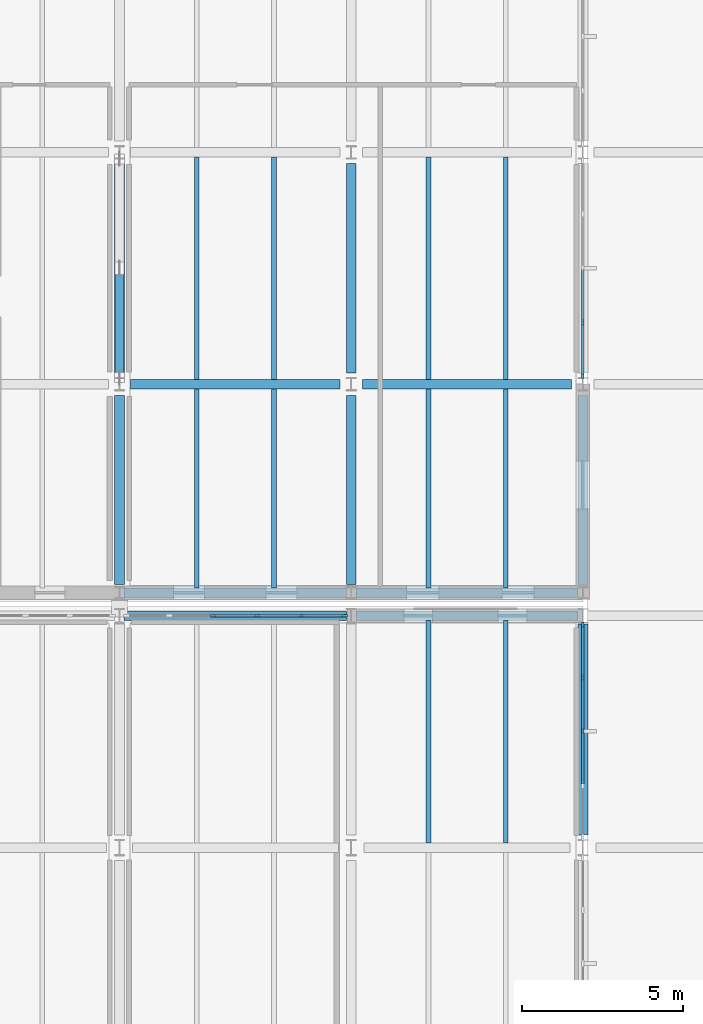
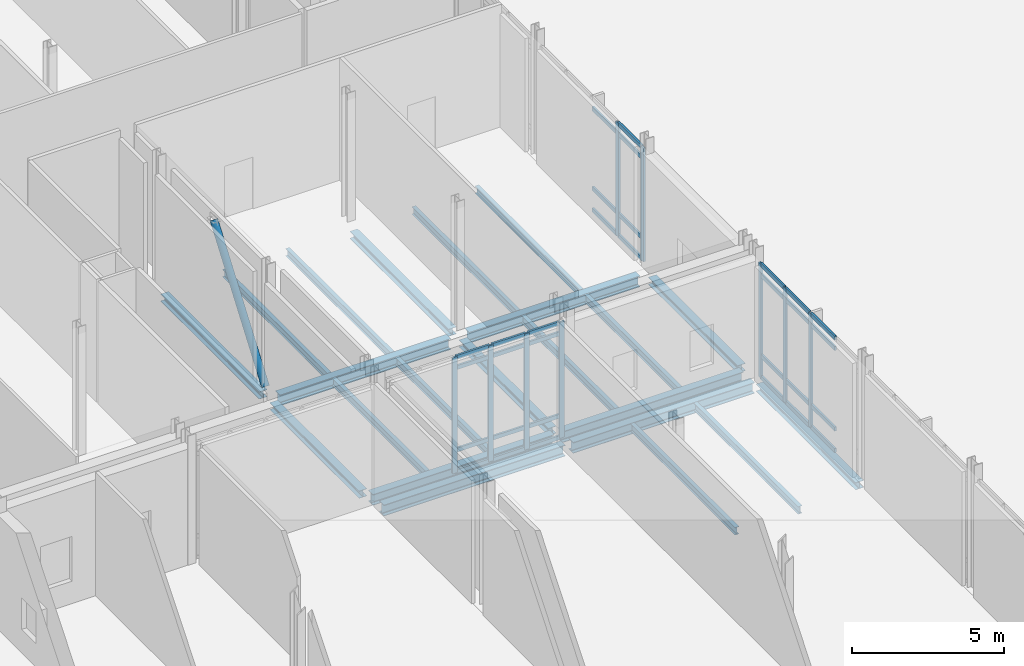
# One storey, part 19 of 89: 41 members, 22 beams, 3 elements without a shape of their own.
"""IFC4 building model written with IfcOpenShell, lengths in metres."""

from ifc_helpers import new_model, si_unit, direction, frame, origin, origin_2d, place, context, subcontext, project, spatial, rectangle, hollow_circle, i_section, extrude, material, layer, layer_set, material_profile, profile_set, type_object, element, aggregate, save


model = new_model("IFC4")

# Units and contexts
model_context = context("Model", 3, precision=1e-05, world=origin(), true_north=direction((0.0, 1.0)))
body_context = subcontext(model_context, "Body", "Model", "MODEL_VIEW")
ifc_project = project(units=[si_unit("LENGTHUNIT", "METRE"), si_unit("AREAUNIT", "SQUARE_METRE"), si_unit("VOLUMEUNIT", "CUBIC_METRE"), si_unit("PLANEANGLEUNIT", "RADIAN"), si_unit("MASSUNIT", "GRAM", prefix="KILO")], contexts=[model_context])

# Site, building, storey
site_placement = place(None, origin())
site = spatial("IfcSite", under=ifc_project, at=site_placement, CompositionType="ELEMENT")
building_placement = place(site_placement, origin())
building = spatial("IfcBuilding", under=site, at=building_placement, Name="Zarrinpeak Specialist Clinic", CompositionType="ELEMENT")
storey_placement = place(building_placement, origin())
storey = spatial("IfcBuildingStorey", under=building, at=storey_placement, Name="L00", CompositionType="ELEMENT", Elevation=0.0)

# Beams
ifc_material_1 = material(Name="Steel S355", Category="steel")
ifc_material_profile_1 = material_profile(ifc_material_1, i_section(OverallWidth=0.300048828125, OverallDepth=0.2900390625, WebThickness=0.008544921875, FlangeThickness=0.013916015625, FilletRadius=0.027099609375, at=origin_2d()), Name="HEA 300")
ifc_profile_set_1 = profile_set([ifc_material_profile_1], Name="Steel S355")
beam_type_1 = type_object("IfcBeamType", Name="BM-HEA300", PredefinedType="BEAM", material=ifc_profile_set_1)
beam_1_placement = place(storey_placement, frame((14.39990234375, 51.367919921875, -0.405029296875), z_axis=(0.0, 1.0, 0.0), x_axis=(-1.0, 0.0, 0.0)))
element("IfcBeam", 1, at=beam_1_placement, inside=storey, type_object=beam_type_1, Name="L00 Primary Beam BM-L00-Y0237", PredefinedType="BEAM", context=body_context, shape_type="SweptSolid", body=[
    extrude(i_section(OverallWidth=0.300048828125, OverallDepth=0.2900390625, WebThickness=0.008544921875, FlangeThickness=0.013916015625, FilletRadius=0.027099609375, at=origin_2d()), origin(), (0.0, 0.0, 1.0), 5.884033203125),
])
beam_2_placement = place(storey_placement, frame((14.39990234375, 57.947998046875, -0.405029296875), z_axis=(0.0, 1.0, 0.0), x_axis=(-1.0, 0.0, 0.0)))
element("IfcBeam", 2, at=beam_2_placement, inside=storey, type_object=beam_type_1, Name="L00 Primary Beam BM-L00-Y0238", PredefinedType="BEAM", context=body_context, shape_type="SweptSolid", body=[
    extrude(i_section(OverallWidth=0.300048828125, OverallDepth=0.2900390625, WebThickness=0.008544921875, FlangeThickness=0.013916015625, FilletRadius=0.027099609375, at=origin_2d()), origin(), (0.0, 0.0, 1.0), 6.50390625),
])
beam_3_placement = place(storey_placement, frame((21.60009765625, 51.367919921875, -0.405029296875), z_axis=(0.0, 1.0, 0.0), x_axis=(-1.0, 0.0, 0.0)))
element("IfcBeam", 3, at=beam_3_placement, inside=storey, type_object=beam_type_1, Name="L00 Primary Beam BM-L00-Y0249", PredefinedType="BEAM", context=body_context, shape_type="SweptSolid", body=[
    extrude(i_section(OverallWidth=0.300048828125, OverallDepth=0.2900390625, WebThickness=0.008544921875, FlangeThickness=0.013916015625, FilletRadius=0.027099609375, at=origin_2d()), origin(), (0.0, 0.0, 1.0), 5.884033203125),
])
beam_4_placement = place(storey_placement, frame((21.60009765625, 57.947998046875, -0.405029296875), z_axis=(0.0, 1.0, 0.0), x_axis=(-1.0, 0.0, 0.0)))
element("IfcBeam", 4, at=beam_4_placement, inside=storey, type_object=beam_type_1, Name="L00 Primary Beam BM-L00-Y0250", PredefinedType="BEAM", context=body_context, shape_type="SweptSolid", body=[
    extrude(i_section(OverallWidth=0.300048828125, OverallDepth=0.2900390625, WebThickness=0.008544921875, FlangeThickness=0.013916015625, FilletRadius=0.027099609375, at=origin_2d()), origin(), (0.0, 0.0, 1.0), 6.50390625),
])
beam_5_placement = place(storey_placement, frame((28.800048828125, 43.597900390625, -0.39501953125), z_axis=(0.0, 1.0, 0.0), x_axis=(-1.0, 0.0, 0.0)))
element("IfcBeam", 5, at=beam_5_placement, inside=storey, type_object=beam_type_1, Name="L00 Primary Beam BM-L00-Y0257", PredefinedType="BEAM", context=body_context, shape_type="SweptSolid", body=[
    extrude(i_section(OverallWidth=0.300048828125, OverallDepth=0.2900390625, WebThickness=0.008544921875, FlangeThickness=0.013916015625, FilletRadius=0.027099609375, at=origin_2d()), origin(), (0.0, 0.0, 1.0), 6.55419921875),
])
beam_6_placement = place(storey_placement, frame((28.800048828125, 51.367919921875, -0.405029296875), z_axis=(0.0, 1.0, 0.0), x_axis=(-1.0, 0.0, 0.0)))
element("IfcBeam", 6, at=beam_6_placement, inside=storey, type_object=beam_type_1, Name="L00 Primary Beam BM-L00-Y0258", PredefinedType="BEAM", context=body_context, shape_type="SweptSolid", body=[
    extrude(i_section(OverallWidth=0.300048828125, OverallDepth=0.2900390625, WebThickness=0.008544921875, FlangeThickness=0.013916015625, FilletRadius=0.027099609375, at=origin_2d()), origin(), (0.0, 0.0, 1.0), 5.884033203125),
])
ifc_material_profile_2 = material_profile(ifc_material_1, i_section(OverallWidth=0.300048828125, OverallDepth=0.43994140625, WebThickness=0.011474609375, FlangeThickness=0.02099609375, FilletRadius=0.027099609375, at=origin_2d()), Name="HEA 450")
ifc_profile_set_2 = profile_set([ifc_material_profile_2], Name="Steel S355")
beam_type_2 = type_object("IfcBeamType", Name="BM-HEA450", PredefinedType="BEAM", material=ifc_profile_set_2)
beam_7_placement = place(storey_placement, frame((14.548095703125, 50.39990234375, -0.469970703125), z_axis=(1.0, 0.0, 0.0), x_axis=(0.0, 1.0, 0.0)))
element("IfcBeam", 7, at=beam_7_placement, inside=storey, type_object=beam_type_2, Name="L00 Primary Floor Girder BM-L00-X0104", PredefinedType="BEAM", context=body_context, shape_type="SweptSolid", body=[
    extrude(i_section(OverallWidth=0.300048828125, OverallDepth=0.43994140625, WebThickness=0.011474609375, FlangeThickness=0.02099609375, FilletRadius=0.027099609375, at=origin_2d()), origin(), (0.0, 0.0, 1.0), 6.90380859375),
])
beam_8_placement = place(storey_placement, frame((21.748046875, 50.39990234375, -0.469970703125), z_axis=(1.0, 0.0, 0.0), x_axis=(0.0, 1.0, 0.0)))
element("IfcBeam", 8, at=beam_8_placement, inside=storey, type_object=beam_type_2, Name="L00 Primary Floor Girder BM-L00-X0105", PredefinedType="BEAM", context=body_context, shape_type="SweptSolid", body=[
    extrude(i_section(OverallWidth=0.300048828125, OverallDepth=0.43994140625, WebThickness=0.011474609375, FlangeThickness=0.02099609375, FilletRadius=0.027099609375, at=origin_2d()), origin(), (0.0, 0.0, 1.0), 6.904052734375),
])
beam_9_placement = place(storey_placement, frame((14.548095703125, 51.1201171875, -0.47998046875), z_axis=(1.0, 0.0, 0.0), x_axis=(0.0, 1.0, 0.0)))
element("IfcBeam", 9, at=beam_9_placement, inside=storey, type_object=beam_type_2, Name="L00 Primary Floor Girder BM-L00-X0126", PredefinedType="BEAM", context=body_context, shape_type="SweptSolid", body=[
    extrude(i_section(OverallWidth=0.300048828125, OverallDepth=0.43994140625, WebThickness=0.011474609375, FlangeThickness=0.02099609375, FilletRadius=0.027099609375, at=origin_2d()), origin(), (0.0, 0.0, 1.0), 6.90380859375),
])
beam_10_placement = place(storey_placement, frame((21.748046875, 51.1201171875, -0.47998046875), z_axis=(1.0, 0.0, 0.0), x_axis=(0.0, 1.0, 0.0)))
element("IfcBeam", 10, at=beam_10_placement, inside=storey, type_object=beam_type_2, Name="L00 Primary Floor Girder BM-L00-X0127", PredefinedType="BEAM", context=body_context, shape_type="SweptSolid", body=[
    extrude(i_section(OverallWidth=0.300048828125, OverallDepth=0.43994140625, WebThickness=0.011474609375, FlangeThickness=0.02099609375, FilletRadius=0.027099609375, at=origin_2d()), origin(), (0.0, 0.0, 1.0), 6.904052734375),
])
for number, where, z_axis, x_axis, name in (
    (11, (14.748046875, 57.60009765625, -0.47998046875), (1.0, 0.0, 0.0), (0.0, 1.0, 0.0), "L00 Primary Floor Girder BM-L00-X0130"),
    (12, (21.947998046875, 57.60009765625, -0.47998046875), (1.0, 0.0, 0.0), (0.0, 1.0, 0.0), "L00 Primary Floor Girder BM-L00-X0131"),
):
    element("IfcBeam", number, at=place(storey_placement, frame(where, z_axis=z_axis, x_axis=x_axis)), inside=storey, type_object=beam_type_2, Name=name, PredefinedType="BEAM", context=body_context, shape_type="SweptSolid", body=[
        extrude(i_section(OverallWidth=0.300048828125, OverallDepth=0.43994140625, WebThickness=0.011474609375, FlangeThickness=0.02099609375, FilletRadius=0.027099609375, at=origin_2d()), origin(), (0.0, 0.0, 1.0), 6.50390625),
    ])
ifc_material_profile_3 = material_profile(ifc_material_1, i_section(OverallWidth=0.14990234375, OverallDepth=0.300048828125, WebThickness=0.007080078125, FlangeThickness=0.0107421875, FilletRadius=0.014892578125, at=origin_2d()), Name="IPE 300")
ifc_profile_set_3 = profile_set([ifc_material_profile_3], Name="Steel S355")
beam_type_3 = type_object("IfcBeamType", Name="BM-JST300", PredefinedType="JOIST", material=ifc_profile_set_3)
for number, where, z_axis, x_axis, name in (
    (13, (24.0, 43.347900390625, -0.39990234375), (0.0, 1.0, 0.0), (-1.0, 0.0, 0.0), "L00 Composite Floor Joist JST-L00-0455"),
    (14, (26.39990234375, 43.347900390625, -0.39990234375), (0.0, 1.0, 0.0), (-1.0, 0.0, 0.0), "L00 Composite Floor Joist JST-L00-0456"),
):
    element("IfcBeam", number, at=place(storey_placement, frame(where, z_axis=z_axis, x_axis=x_axis)), inside=storey, type_object=beam_type_3, Name=name, PredefinedType="JOIST", context=body_context, shape_type="SweptSolid", body=[
        extrude(i_section(OverallWidth=0.14990234375, OverallDepth=0.300048828125, WebThickness=0.007080078125, FlangeThickness=0.0107421875, FilletRadius=0.014892578125, at=origin_2d()), origin(), (0.0, 0.0, 1.0), 6.904052734375),
    ])
for number, where, z_axis, x_axis, name in (
    (15, (16.800048828125, 51.26806640625, -0.409912109375), (0.0, 1.0, 0.0), (-1.0, 0.0, 0.0), "L00 Composite Floor Joist JST-L00-0556"),
    (16, (19.199951171875, 51.26806640625, -0.409912109375), (0.0, 1.0, 0.0), (-1.0, 0.0, 0.0), "L00 Composite Floor Joist JST-L00-0557"),
):
    element("IfcBeam", number, at=place(storey_placement, frame(where, z_axis=z_axis, x_axis=x_axis)), inside=storey, type_object=beam_type_3, Name=name, PredefinedType="JOIST", context=body_context, shape_type="SweptSolid", body=[
        extrude(i_section(OverallWidth=0.14990234375, OverallDepth=0.300048828125, WebThickness=0.007080078125, FlangeThickness=0.0107421875, FilletRadius=0.014892578125, at=origin_2d()), origin(), (0.0, 0.0, 1.0), 6.183837890625),
    ])
for number, where, z_axis, x_axis, name in (
    (17, (16.800048828125, 57.748046875, -0.409912109375), (0.0, 1.0, 0.0), (-1.0, 0.0, 0.0), "L00 Composite Floor Joist JST-L00-0558"),
    (18, (19.199951171875, 57.748046875, -0.409912109375), (0.0, 1.0, 0.0), (-1.0, 0.0, 0.0), "L00 Composite Floor Joist JST-L00-0559"),
):
    element("IfcBeam", number, at=place(storey_placement, frame(where, z_axis=z_axis, x_axis=x_axis)), inside=storey, type_object=beam_type_3, Name=name, PredefinedType="JOIST", context=body_context, shape_type="SweptSolid", body=[
        extrude(i_section(OverallWidth=0.14990234375, OverallDepth=0.300048828125, WebThickness=0.007080078125, FlangeThickness=0.0107421875, FilletRadius=0.014892578125, at=origin_2d()), origin(), (0.0, 0.0, 1.0), 6.904052734375),
    ])
for number, where, z_axis, x_axis, name in (
    (19, (24.0, 51.26806640625, -0.409912109375), (0.0, 1.0, 0.0), (-1.0, 0.0, 0.0), "L00 Composite Floor Joist JST-L00-0566"),
    (20, (26.39990234375, 51.26806640625, -0.409912109375), (0.0, 1.0, 0.0), (-1.0, 0.0, 0.0), "L00 Composite Floor Joist JST-L00-0567"),
):
    element("IfcBeam", number, at=place(storey_placement, frame(where, z_axis=z_axis, x_axis=x_axis)), inside=storey, type_object=beam_type_3, Name=name, PredefinedType="JOIST", context=body_context, shape_type="SweptSolid", body=[
        extrude(i_section(OverallWidth=0.14990234375, OverallDepth=0.300048828125, WebThickness=0.007080078125, FlangeThickness=0.0107421875, FilletRadius=0.014892578125, at=origin_2d()), origin(), (0.0, 0.0, 1.0), 6.183837890625),
    ])
for number, where, z_axis, x_axis, name in (
    (21, (24.0, 57.748046875, -0.409912109375), (0.0, 1.0, 0.0), (-1.0, 0.0, 0.0), "L00 Composite Floor Joist JST-L00-0568"),
    (22, (26.39990234375, 57.748046875, -0.409912109375), (0.0, 1.0, 0.0), (-1.0, 0.0, 0.0), "L00 Composite Floor Joist JST-L00-0569"),
):
    element("IfcBeam", number, at=place(storey_placement, frame(where, z_axis=z_axis, x_axis=x_axis)), inside=storey, type_object=beam_type_3, Name=name, PredefinedType="JOIST", context=body_context, shape_type="SweptSolid", body=[
        extrude(i_section(OverallWidth=0.14990234375, OverallDepth=0.300048828125, WebThickness=0.007080078125, FlangeThickness=0.0107421875, FilletRadius=0.014892578125, at=origin_2d()), origin(), (0.0, 0.0, 1.0), 6.904052734375),
    ])

# Curtain wall, members
ifc_material_2 = material(Name="Anodised Aluminium Alloy 6063-T6", Category="aluminium")
ifc_layer_1 = layer(ifc_material_2, 0.1650390625)
ifc_layer_set_1 = layer_set([ifc_layer_1], Name="Anodised Aluminium Alloy 6063-T6")
curtain_wall_type_1 = type_object("IfcCurtainWallType", Name="CW-CLINIC", PredefinedType="NOTDEFINED", material=ifc_layer_set_1)
curtain_wall_1_placement = place(storey_placement, origin())
curtain_wall_1 = element("IfcCurtainWall", 23, at=curtain_wall_1_placement, inside=storey, type_object=curtain_wall_type_1, Name="L00 V1 Unitised Curtain Wall CW-L00-V1-002", PredefinedType="NOTDEFINED")
ifc_material_profile_4 = material_profile(ifc_material_2, rectangle(XDim=0.074951171875, YDim=0.179931640625, at=origin_2d()), Name="ALU 75x180")
ifc_profile_set_4 = profile_set([ifc_material_profile_4], Name="Anodised Aluminium Alloy 6063-T6")
member_type_1 = type_object("IfcMemberType", Name="CWM-75", PredefinedType="MULLION", material=ifc_profile_set_4)
member_1_placement = place(storey_placement, frame((21.387451171875, 50.39990234375, 0.0), z_axis=(0.0, 0.0, 1.0), x_axis=(0.0, -1.0, 0.0)))
member_1 = element("IfcMember", 24, at=member_1_placement, type_object=member_type_1, Name="CW-03 mullion 1", PredefinedType="MULLION", context=body_context, shape_type="SweptSolid", body=[
    extrude(rectangle(XDim=0.074951171875, YDim=0.179931640625, at=origin_2d()), origin(), (0.0, 0.0, 1.0), 4.6650390625),
])
member_2_placement = place(storey_placement, frame((20.054931640625, 50.39990234375, 0.0), z_axis=(0.0, 0.0, 1.0), x_axis=(0.0, -1.0, 0.0)))
member_2 = element("IfcMember", 25, at=member_2_placement, type_object=member_type_1, Name="CW-03 mullion 2", PredefinedType="MULLION", context=body_context, shape_type="SweptSolid", body=[
    extrude(rectangle(XDim=0.074951171875, YDim=0.179931640625, at=origin_2d()), origin(), (0.0, 0.0, 1.0), 4.6650390625),
])
member_3_placement = place(storey_placement, frame((18.68505859375, 50.39990234375, 0.0), z_axis=(0.0, 0.0, 1.0), x_axis=(0.0, -1.0, 0.0)))
member_3 = element("IfcMember", 26, at=member_3_placement, type_object=member_type_1, Name="CW-03 mullion 3", PredefinedType="MULLION", context=body_context, shape_type="SweptSolid", body=[
    extrude(rectangle(XDim=0.074951171875, YDim=0.179931640625, at=origin_2d()), origin(), (0.0, 0.0, 1.0), 4.6650390625),
])
member_4_placement = place(storey_placement, frame((17.31494140625, 50.39990234375, 0.0), z_axis=(0.0, 0.0, 1.0), x_axis=(0.0, -1.0, 0.0)))
member_4 = element("IfcMember", 27, at=member_4_placement, type_object=member_type_1, Name="CW-03 mullion 4", PredefinedType="MULLION", context=body_context, shape_type="SweptSolid", body=[
    extrude(rectangle(XDim=0.074951171875, YDim=0.179931640625, at=origin_2d()), origin(), (0.0, 0.0, 1.0), 4.6650390625),
])

ifc_layer_2 = layer(ifc_material_2, 0.179931640625)
ifc_layer_set_2 = layer_set([ifc_layer_2], Name="Anodised Aluminium Alloy 6063-T6")
curtain_wall_type_2 = type_object("IfcCurtainWallType", Name="CW-COURT", PredefinedType="NOTDEFINED", material=ifc_layer_set_2)
curtain_wall_2_placement = place(storey_placement, origin())
curtain_wall_2 = element("IfcCurtainWall", 28, at=curtain_wall_2_placement, inside=storey, type_object=curtain_wall_type_2, Name="L00 V1 Unitised Curtain Wall CW-L00-V1-006", PredefinedType="NOTDEFINED")
member_5_placement = place(storey_placement, frame((28.800048828125, 46.8125, 0.0), z_axis=(0.0, 0.0, 1.0), x_axis=(-1.0, 0.0, 0.0)))
member_5 = element("IfcMember", 29, at=member_5_placement, type_object=member_type_1, Name="CW-01 mullion 3", PredefinedType="MULLION", context=body_context, shape_type="SweptSolid", body=[
    extrude(rectangle(XDim=0.074951171875, YDim=0.179931640625, at=origin_2d()), origin(), (0.0, 0.0, 1.0), 4.594970703125),
])
member_6_placement = place(storey_placement, frame((28.800048828125, 48.481201171875, 0.0), z_axis=(0.0, 0.0, 1.0), x_axis=(-1.0, 0.0, 0.0)))
member_6 = element("IfcMember", 30, at=member_6_placement, type_object=member_type_1, Name="CW-01 mullion 4", PredefinedType="MULLION", context=body_context, shape_type="SweptSolid", body=[
    extrude(rectangle(XDim=0.074951171875, YDim=0.179931640625, at=origin_2d()), origin(), (0.0, 0.0, 1.0), 4.594970703125),
])
member_7_placement = place(storey_placement, frame((28.800048828125, 50.112548828125, 0.0), z_axis=(0.0, 0.0, 1.0), x_axis=(-1.0, 0.0, 0.0)))
member_7 = element("IfcMember", 31, at=member_7_placement, type_object=member_type_1, Name="CW-01 mullion 5", PredefinedType="MULLION", context=body_context, shape_type="SweptSolid", body=[
    extrude(rectangle(XDim=0.074951171875, YDim=0.179931640625, at=origin_2d()), origin(), (0.0, 0.0, 1.0), 4.594970703125),
])

curtain_wall_3_placement = place(storey_placement, origin())
curtain_wall_3 = element("IfcCurtainWall", 32, at=curtain_wall_3_placement, inside=storey, type_object=curtain_wall_type_2, Name="L00 V5 Unitised Curtain Wall CW-L00-V5-121", PredefinedType="NOTDEFINED")
member_8_placement = place(storey_placement, frame((28.800048828125, 57.862548828125, 0.0), z_axis=(0.0, 0.0, 1.0), x_axis=(-1.0, 0.0, 0.0)))
member_8 = element("IfcMember", 33, at=member_8_placement, type_object=member_type_1, Name="CW-01 mullion 1", PredefinedType="MULLION", context=body_context, shape_type="SweptSolid", body=[
    extrude(rectangle(XDim=0.074951171875, YDim=0.179931640625, at=origin_2d()), origin(), (0.0, 0.0, 1.0), 4.56494140625),
])
member_9_placement = place(storey_placement, frame((28.800048828125, 59.512451171875, 0.0), z_axis=(0.0, 0.0, 1.0), x_axis=(-1.0, 0.0, 0.0)))
member_9 = element("IfcMember", 34, at=member_9_placement, type_object=member_type_1, Name="CW-01 mullion 2", PredefinedType="MULLION", context=body_context, shape_type="SweptSolid", body=[
    extrude(rectangle(XDim=0.074951171875, YDim=0.179931640625, at=origin_2d()), origin(), (0.0, 0.0, 1.0), 4.56494140625),
])

# Member
ifc_material_profile_5 = material_profile(ifc_material_2, rectangle(XDim=0.074951171875, YDim=0.159912109375, at=origin_2d()), Name="ALU 75x160")
ifc_profile_set_5 = profile_set([ifc_material_profile_5], Name="Anodised Aluminium Alloy 6063-T6")
member_type_2 = type_object("IfcMemberType", Name="CWT-75", PredefinedType="USERDEFINED", material=ifc_profile_set_5)
member_10_placement = place(storey_placement, frame((21.35009765625, 50.39990234375, 0.03759765625), z_axis=(-1.0, 0.0, 0.0), x_axis=(0.0, -1.0, 0.0)))
member_10 = element("IfcMember", 35, at=member_10_placement, type_object=member_type_2, Name="CW-03 transom 1.1", ObjectType="TRANSOM", PredefinedType="USERDEFINED", context=body_context, shape_type="SweptSolid", body=[
    extrude(rectangle(XDim=0.074951171875, YDim=0.159912109375, at=origin_2d()), origin(), (0.0, 0.0, 1.0), 1.257568359375),
])

member_11_placement = place(storey_placement, frame((21.35009765625, 50.39990234375, 0.89990234375), z_axis=(-1.0, 0.0, 0.0), x_axis=(0.0, -1.0, 0.0)))
member_11 = element("IfcMember", 36, at=member_11_placement, type_object=member_type_2, Name="CW-03 transom 1.2", ObjectType="TRANSOM", PredefinedType="USERDEFINED", context=body_context, shape_type="SweptSolid", body=[
    extrude(rectangle(XDim=0.074951171875, YDim=0.159912109375, at=origin_2d()), origin(), (0.0, 0.0, 1.0), 1.257568359375),
])

member_12_placement = place(storey_placement, frame((21.35009765625, 50.39990234375, 4.215087890625), z_axis=(-1.0, 0.0, 0.0), x_axis=(0.0, -1.0, 0.0)))
member_12 = element("IfcMember", 37, at=member_12_placement, type_object=member_type_2, Name="CW-03 transom 1.3", ObjectType="TRANSOM", PredefinedType="USERDEFINED", context=body_context, shape_type="SweptSolid", body=[
    extrude(rectangle(XDim=0.074951171875, YDim=0.159912109375, at=origin_2d()), origin(), (0.0, 0.0, 1.0), 1.257568359375),
])

member_13_placement = place(storey_placement, frame((21.35009765625, 50.39990234375, 4.62744140625), z_axis=(-1.0, 0.0, 0.0), x_axis=(0.0, -1.0, 0.0)))
member_13 = element("IfcMember", 38, at=member_13_placement, type_object=member_type_2, Name="CW-03 transom 1.4", ObjectType="TRANSOM", PredefinedType="USERDEFINED", context=body_context, shape_type="SweptSolid", body=[
    extrude(rectangle(XDim=0.074951171875, YDim=0.159912109375, at=origin_2d()), origin(), (0.0, 0.0, 1.0), 1.257568359375),
])

member_14_placement = place(storey_placement, frame((20.017578125, 50.39990234375, 0.03759765625), z_axis=(-1.0, 0.0, 0.0), x_axis=(0.0, -1.0, 0.0)))
member_14 = element("IfcMember", 39, at=member_14_placement, type_object=member_type_2, Name="CW-03 transom 2.1", ObjectType="TRANSOM", PredefinedType="USERDEFINED", context=body_context, shape_type="SweptSolid", body=[
    extrude(rectangle(XDim=0.074951171875, YDim=0.159912109375, at=origin_2d()), origin(), (0.0, 0.0, 1.0), 1.295166015625),
])

member_15_placement = place(storey_placement, frame((20.017578125, 50.39990234375, 0.89990234375), z_axis=(-1.0, 0.0, 0.0), x_axis=(0.0, -1.0, 0.0)))
member_15 = element("IfcMember", 40, at=member_15_placement, type_object=member_type_2, Name="CW-03 transom 2.2", ObjectType="TRANSOM", PredefinedType="USERDEFINED", context=body_context, shape_type="SweptSolid", body=[
    extrude(rectangle(XDim=0.074951171875, YDim=0.159912109375, at=origin_2d()), origin(), (0.0, 0.0, 1.0), 1.295166015625),
])

member_16_placement = place(storey_placement, frame((20.017578125, 50.39990234375, 4.215087890625), z_axis=(-1.0, 0.0, 0.0), x_axis=(0.0, -1.0, 0.0)))
member_16 = element("IfcMember", 41, at=member_16_placement, type_object=member_type_2, Name="CW-03 transom 2.3", ObjectType="TRANSOM", PredefinedType="USERDEFINED", context=body_context, shape_type="SweptSolid", body=[
    extrude(rectangle(XDim=0.074951171875, YDim=0.159912109375, at=origin_2d()), origin(), (0.0, 0.0, 1.0), 1.295166015625),
])

member_17_placement = place(storey_placement, frame((20.017578125, 50.39990234375, 4.62744140625), z_axis=(-1.0, 0.0, 0.0), x_axis=(0.0, -1.0, 0.0)))
member_17 = element("IfcMember", 42, at=member_17_placement, type_object=member_type_2, Name="CW-03 transom 2.4", ObjectType="TRANSOM", PredefinedType="USERDEFINED", context=body_context, shape_type="SweptSolid", body=[
    extrude(rectangle(XDim=0.074951171875, YDim=0.159912109375, at=origin_2d()), origin(), (0.0, 0.0, 1.0), 1.295166015625),
])

member_18_placement = place(storey_placement, frame((18.6474609375, 50.39990234375, 0.03759765625), z_axis=(-1.0, 0.0, 0.0), x_axis=(0.0, -1.0, 0.0)))
member_18 = element("IfcMember", 43, at=member_18_placement, type_object=member_type_2, Name="CW-03 transom 3.1", ObjectType="TRANSOM", PredefinedType="USERDEFINED", context=body_context, shape_type="SweptSolid", body=[
    extrude(rectangle(XDim=0.074951171875, YDim=0.159912109375, at=origin_2d()), origin(), (0.0, 0.0, 1.0), 1.294921875),
])

member_19_placement = place(storey_placement, frame((18.6474609375, 50.39990234375, 0.89990234375), z_axis=(-1.0, 0.0, 0.0), x_axis=(0.0, -1.0, 0.0)))
member_19 = element("IfcMember", 44, at=member_19_placement, type_object=member_type_2, Name="CW-03 transom 3.2", ObjectType="TRANSOM", PredefinedType="USERDEFINED", context=body_context, shape_type="SweptSolid", body=[
    extrude(rectangle(XDim=0.074951171875, YDim=0.159912109375, at=origin_2d()), origin(), (0.0, 0.0, 1.0), 1.294921875),
])

member_20_placement = place(storey_placement, frame((18.6474609375, 50.39990234375, 4.215087890625), z_axis=(-1.0, 0.0, 0.0), x_axis=(0.0, -1.0, 0.0)))
member_20 = element("IfcMember", 45, at=member_20_placement, type_object=member_type_2, Name="CW-03 transom 3.3", ObjectType="TRANSOM", PredefinedType="USERDEFINED", context=body_context, shape_type="SweptSolid", body=[
    extrude(rectangle(XDim=0.074951171875, YDim=0.159912109375, at=origin_2d()), origin(), (0.0, 0.0, 1.0), 1.294921875),
])

member_21_placement = place(storey_placement, frame((18.6474609375, 50.39990234375, 4.62744140625), z_axis=(-1.0, 0.0, 0.0), x_axis=(0.0, -1.0, 0.0)))
member_21 = element("IfcMember", 46, at=member_21_placement, type_object=member_type_2, Name="CW-03 transom 3.4", ObjectType="TRANSOM", PredefinedType="USERDEFINED", context=body_context, shape_type="SweptSolid", body=[
    extrude(rectangle(XDim=0.074951171875, YDim=0.159912109375, at=origin_2d()), origin(), (0.0, 0.0, 1.0), 1.294921875),
])

aggregate(curtain_wall_1, [member_1, member_2, member_3, member_4, member_10, member_11, member_12, member_13, member_14, member_15, member_16, member_17, member_18, member_19, member_20, member_21])

member_22_placement = place(storey_placement, frame((28.800048828125, 45.18115234375, 0.03759765625), z_axis=(0.0, 1.0, 0.0), x_axis=(-1.0, 0.0, 0.0)))
member_22 = element("IfcMember", 47, at=member_22_placement, type_object=member_type_2, Name="CW-01 transom 2.1", ObjectType="TRANSOM", PredefinedType="USERDEFINED", context=body_context, shape_type="SweptSolid", body=[
    extrude(rectangle(XDim=0.074951171875, YDim=0.159912109375, at=origin_2d()), origin(), (0.0, 0.0, 1.0), 1.59375),
])

member_23_placement = place(storey_placement, frame((28.800048828125, 45.18115234375, 0.89990234375), z_axis=(0.0, 1.0, 0.0), x_axis=(-1.0, 0.0, 0.0)))
member_23 = element("IfcMember", 48, at=member_23_placement, type_object=member_type_2, Name="CW-01 transom 2.2", ObjectType="TRANSOM", PredefinedType="USERDEFINED", context=body_context, shape_type="SweptSolid", body=[
    extrude(rectangle(XDim=0.074951171875, YDim=0.159912109375, at=origin_2d()), origin(), (0.0, 0.0, 1.0), 1.59375),
])

member_24_placement = place(storey_placement, frame((28.800048828125, 45.18115234375, 4.14501953125), z_axis=(0.0, 1.0, 0.0), x_axis=(-1.0, 0.0, 0.0)))
member_24 = element("IfcMember", 49, at=member_24_placement, type_object=member_type_2, Name="CW-01 transom 2.3", ObjectType="TRANSOM", PredefinedType="USERDEFINED", context=body_context, shape_type="SweptSolid", body=[
    extrude(rectangle(XDim=0.074951171875, YDim=0.159912109375, at=origin_2d()), origin(), (0.0, 0.0, 1.0), 1.59375),
])

member_25_placement = place(storey_placement, frame((28.800048828125, 45.18115234375, 4.5576171875), z_axis=(0.0, 1.0, 0.0), x_axis=(-1.0, 0.0, 0.0)))
member_25 = element("IfcMember", 50, at=member_25_placement, type_object=member_type_2, Name="CW-01 transom 2.4", ObjectType="TRANSOM", PredefinedType="USERDEFINED", context=body_context, shape_type="SweptSolid", body=[
    extrude(rectangle(XDim=0.074951171875, YDim=0.159912109375, at=origin_2d()), origin(), (0.0, 0.0, 1.0), 1.59375),
])

member_26_placement = place(storey_placement, frame((28.800048828125, 46.85009765625, 0.03759765625), z_axis=(0.0, 1.0, 0.0), x_axis=(-1.0, 0.0, 0.0)))
member_26 = element("IfcMember", 51, at=member_26_placement, type_object=member_type_2, Name="CW-01 transom 3.1", ObjectType="TRANSOM", PredefinedType="USERDEFINED", context=body_context, shape_type="SweptSolid", body=[
    extrude(rectangle(XDim=0.074951171875, YDim=0.159912109375, at=origin_2d()), origin(), (0.0, 0.0, 1.0), 1.59375),
])

member_27_placement = place(storey_placement, frame((28.800048828125, 46.85009765625, 0.89990234375), z_axis=(0.0, 1.0, 0.0), x_axis=(-1.0, 0.0, 0.0)))
member_27 = element("IfcMember", 52, at=member_27_placement, type_object=member_type_2, Name="CW-01 transom 3.2", ObjectType="TRANSOM", PredefinedType="USERDEFINED", context=body_context, shape_type="SweptSolid", body=[
    extrude(rectangle(XDim=0.074951171875, YDim=0.159912109375, at=origin_2d()), origin(), (0.0, 0.0, 1.0), 1.59375),
])

member_28_placement = place(storey_placement, frame((28.800048828125, 46.85009765625, 4.14501953125), z_axis=(0.0, 1.0, 0.0), x_axis=(-1.0, 0.0, 0.0)))
member_28 = element("IfcMember", 53, at=member_28_placement, type_object=member_type_2, Name="CW-01 transom 3.3", ObjectType="TRANSOM", PredefinedType="USERDEFINED", context=body_context, shape_type="SweptSolid", body=[
    extrude(rectangle(XDim=0.074951171875, YDim=0.159912109375, at=origin_2d()), origin(), (0.0, 0.0, 1.0), 1.59375),
])

member_29_placement = place(storey_placement, frame((28.800048828125, 46.85009765625, 4.5576171875), z_axis=(0.0, 1.0, 0.0), x_axis=(-1.0, 0.0, 0.0)))
member_29 = element("IfcMember", 54, at=member_29_placement, type_object=member_type_2, Name="CW-01 transom 3.4", ObjectType="TRANSOM", PredefinedType="USERDEFINED", context=body_context, shape_type="SweptSolid", body=[
    extrude(rectangle(XDim=0.074951171875, YDim=0.159912109375, at=origin_2d()), origin(), (0.0, 0.0, 1.0), 1.59375),
])

member_30_placement = place(storey_placement, frame((28.800048828125, 48.518798828125, 0.03759765625), z_axis=(0.0, 1.0, 0.0), x_axis=(-1.0, 0.0, 0.0)))
member_30 = element("IfcMember", 55, at=member_30_placement, type_object=member_type_2, Name="CW-01 transom 4.1", ObjectType="TRANSOM", PredefinedType="USERDEFINED", context=body_context, shape_type="SweptSolid", body=[
    extrude(rectangle(XDim=0.074951171875, YDim=0.159912109375, at=origin_2d()), origin(), (0.0, 0.0, 1.0), 1.55615234375),
])

member_31_placement = place(storey_placement, frame((28.800048828125, 48.518798828125, 0.89990234375), z_axis=(0.0, 1.0, 0.0), x_axis=(-1.0, 0.0, 0.0)))
member_31 = element("IfcMember", 56, at=member_31_placement, type_object=member_type_2, Name="CW-01 transom 4.2", ObjectType="TRANSOM", PredefinedType="USERDEFINED", context=body_context, shape_type="SweptSolid", body=[
    extrude(rectangle(XDim=0.074951171875, YDim=0.159912109375, at=origin_2d()), origin(), (0.0, 0.0, 1.0), 1.55615234375),
])

member_32_placement = place(storey_placement, frame((28.800048828125, 48.518798828125, 4.14501953125), z_axis=(0.0, 1.0, 0.0), x_axis=(-1.0, 0.0, 0.0)))
member_32 = element("IfcMember", 57, at=member_32_placement, type_object=member_type_2, Name="CW-01 transom 4.3", ObjectType="TRANSOM", PredefinedType="USERDEFINED", context=body_context, shape_type="SweptSolid", body=[
    extrude(rectangle(XDim=0.074951171875, YDim=0.159912109375, at=origin_2d()), origin(), (0.0, 0.0, 1.0), 1.55615234375),
])

member_33_placement = place(storey_placement, frame((28.800048828125, 48.518798828125, 4.5576171875), z_axis=(0.0, 1.0, 0.0), x_axis=(-1.0, 0.0, 0.0)))
member_33 = element("IfcMember", 58, at=member_33_placement, type_object=member_type_2, Name="CW-01 transom 4.4", ObjectType="TRANSOM", PredefinedType="USERDEFINED", context=body_context, shape_type="SweptSolid", body=[
    extrude(rectangle(XDim=0.074951171875, YDim=0.159912109375, at=origin_2d()), origin(), (0.0, 0.0, 1.0), 1.55615234375),
])

aggregate(curtain_wall_2, [member_5, member_6, member_7, member_22, member_23, member_24, member_25, member_26, member_27, member_28, member_29, member_30, member_31, member_32, member_33])

member_34_placement = place(storey_placement, frame((28.800048828125, 57.89990234375, 0.03759765625), z_axis=(0.0, 1.0, 0.0), x_axis=(-1.0, 0.0, 0.0)))
member_34 = element("IfcMember", 59, at=member_34_placement, type_object=member_type_2, Name="CW-01 transom 1.1", ObjectType="TRANSOM", PredefinedType="USERDEFINED", context=body_context, shape_type="SweptSolid", body=[
    extrude(rectangle(XDim=0.074951171875, YDim=0.159912109375, at=origin_2d()), origin(), (0.0, 0.0, 1.0), 1.5751953125),
])

member_35_placement = place(storey_placement, frame((28.800048828125, 57.89990234375, 0.89990234375), z_axis=(0.0, 1.0, 0.0), x_axis=(-1.0, 0.0, 0.0)))
member_35 = element("IfcMember", 60, at=member_35_placement, type_object=member_type_2, Name="CW-01 transom 1.2", ObjectType="TRANSOM", PredefinedType="USERDEFINED", context=body_context, shape_type="SweptSolid", body=[
    extrude(rectangle(XDim=0.074951171875, YDim=0.159912109375, at=origin_2d()), origin(), (0.0, 0.0, 1.0), 1.5751953125),
])

member_36_placement = place(storey_placement, frame((28.800048828125, 57.89990234375, 4.114990234375), z_axis=(0.0, 1.0, 0.0), x_axis=(-1.0, 0.0, 0.0)))
member_36 = element("IfcMember", 61, at=member_36_placement, type_object=member_type_2, Name="CW-01 transom 1.3", ObjectType="TRANSOM", PredefinedType="USERDEFINED", context=body_context, shape_type="SweptSolid", body=[
    extrude(rectangle(XDim=0.074951171875, YDim=0.159912109375, at=origin_2d()), origin(), (0.0, 0.0, 1.0), 1.5751953125),
])

member_37_placement = place(storey_placement, frame((28.800048828125, 57.89990234375, 4.527587890625), z_axis=(0.0, 1.0, 0.0), x_axis=(-1.0, 0.0, 0.0)))
member_37 = element("IfcMember", 62, at=member_37_placement, type_object=member_type_2, Name="CW-01 transom 1.4", ObjectType="TRANSOM", PredefinedType="USERDEFINED", context=body_context, shape_type="SweptSolid", body=[
    extrude(rectangle(XDim=0.074951171875, YDim=0.159912109375, at=origin_2d()), origin(), (0.0, 0.0, 1.0), 1.5751953125),
])

member_38_placement = place(storey_placement, frame((28.800048828125, 59.550048828125, 0.03759765625), z_axis=(0.0, 1.0, 0.0), x_axis=(-1.0, 0.0, 0.0)))
member_38 = element("IfcMember", 63, at=member_38_placement, type_object=member_type_2, Name="CW-01 transom 2.1", ObjectType="TRANSOM", PredefinedType="USERDEFINED", context=body_context, shape_type="SweptSolid", body=[
    extrude(rectangle(XDim=0.074951171875, YDim=0.159912109375, at=origin_2d()), origin(), (0.0, 0.0, 1.0), 1.612548828125),
])

member_39_placement = place(storey_placement, frame((28.800048828125, 59.550048828125, 0.89990234375), z_axis=(0.0, 1.0, 0.0), x_axis=(-1.0, 0.0, 0.0)))
member_39 = element("IfcMember", 64, at=member_39_placement, type_object=member_type_2, Name="CW-01 transom 2.2", ObjectType="TRANSOM", PredefinedType="USERDEFINED", context=body_context, shape_type="SweptSolid", body=[
    extrude(rectangle(XDim=0.074951171875, YDim=0.159912109375, at=origin_2d()), origin(), (0.0, 0.0, 1.0), 1.612548828125),
])

member_40_placement = place(storey_placement, frame((28.800048828125, 59.550048828125, 4.114990234375), z_axis=(0.0, 1.0, 0.0), x_axis=(-1.0, 0.0, 0.0)))
member_40 = element("IfcMember", 65, at=member_40_placement, type_object=member_type_2, Name="CW-01 transom 2.3", ObjectType="TRANSOM", PredefinedType="USERDEFINED", context=body_context, shape_type="SweptSolid", body=[
    extrude(rectangle(XDim=0.074951171875, YDim=0.159912109375, at=origin_2d()), origin(), (0.0, 0.0, 1.0), 1.612548828125),
])

aggregate(curtain_wall_3, [member_8, member_9, member_34, member_35, member_36, member_37, member_38, member_39, member_40])

ifc_material_profile_6 = material_profile(ifc_material_1, hollow_circle(Radius=0.136474609375, WallThickness=0.012451171875, at=origin_2d()), Name="CHS 273.0x12.5")
ifc_profile_set_6 = profile_set([ifc_material_profile_6], Name="Steel S355")
member_type_3 = type_object("IfcMemberType", Name="MB-BR273", PredefinedType="BRACE", material=ifc_profile_set_6)
member_41_placement = place(storey_placement, frame((14.39990234375, 57.800048828125, 0.0048828125), z_axis=(0.0, 0.590635301904, 0.806938622291), x_axis=(-1.0, 0.0, 0.0)))
element("IfcMember", 66, at=member_41_placement, inside=storey, type_object=member_type_3, Name="V5 L00 Seismic Concentric Brace CBF-035", PredefinedType="BRACE", context=body_context, shape_type="SweptSolid", body=[
    extrude(hollow_circle(Radius=0.136474609375, WallThickness=0.012451171875, at=origin_2d()), origin(), (0.0, 0.0, 1.0), 5.75634765625),
])

save(model, "model.ifc")
